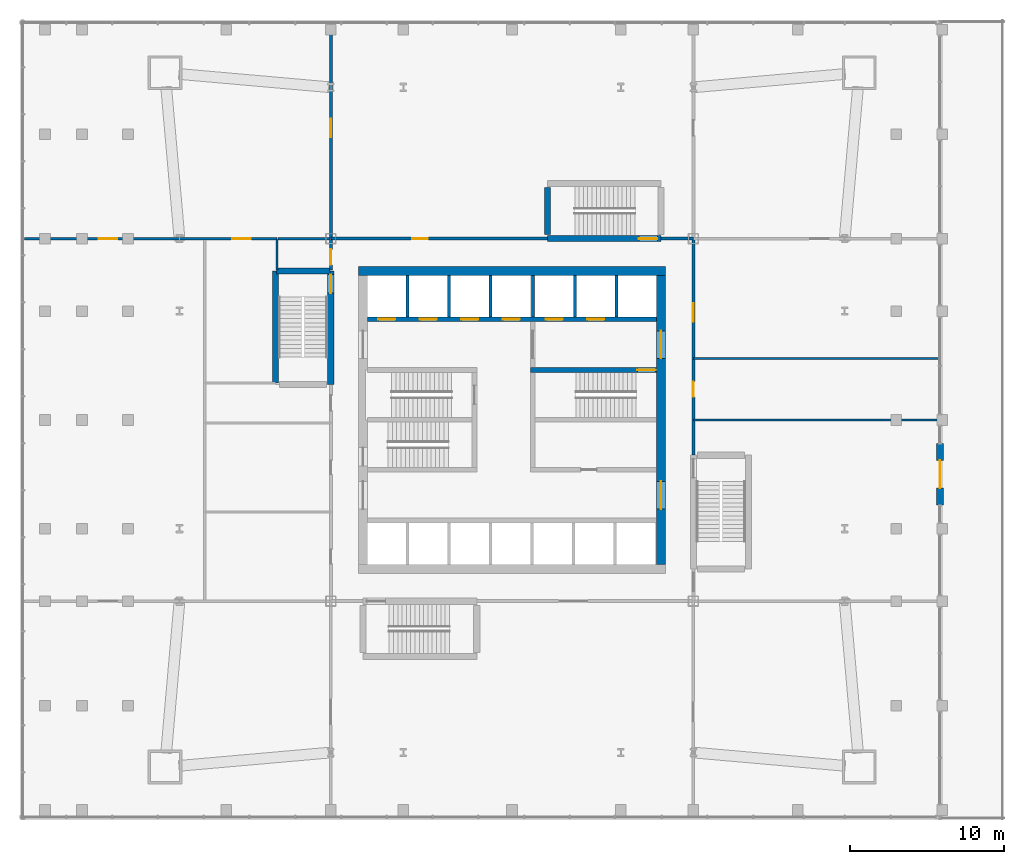
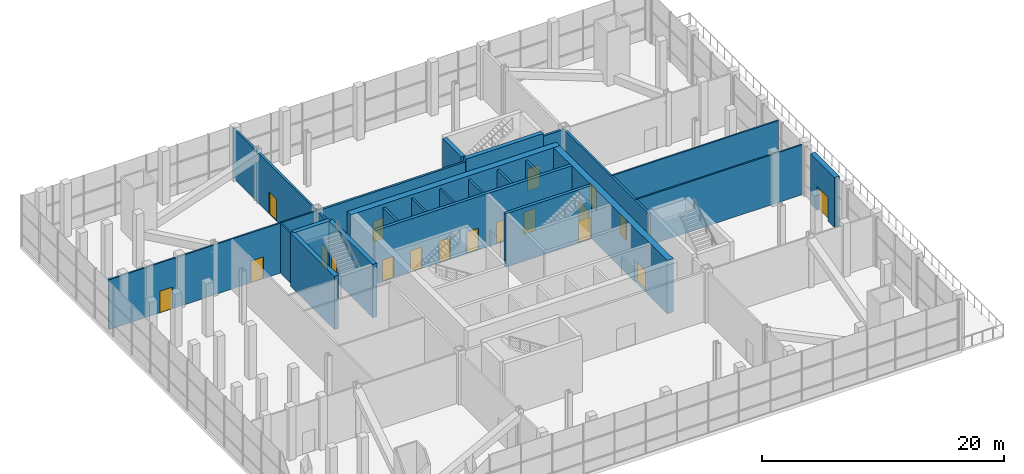
# One storey, part 15 of 17: 26 walls, 19 doors, 19 openings.
"""IFC4 building model written with IfcOpenShell, lengths in metres."""

from ifc_helpers import new_model, si_unit, direction, frame, frame_2d, origin, place, context, subcontext, project, spatial, rectangle, extrude, material, layer, layer_set, type_object, element, fill, save


model = new_model("IFC4")

# Units and contexts
model_context = context("Model", 3, precision=1e-05, world=origin(), true_north=direction((0.0, 1.0)))
body_context = subcontext(model_context, "Body", "Model", "MODEL_VIEW")
ifc_project = project(units=[si_unit("LENGTHUNIT", "METRE"), si_unit("AREAUNIT", "SQUARE_METRE"), si_unit("VOLUMEUNIT", "CUBIC_METRE"), si_unit("PLANEANGLEUNIT", "RADIAN"), si_unit("MASSUNIT", "GRAM", prefix="KILO")], contexts=[model_context])

# Site, building, storey
site_placement = place(None, origin())
site = spatial("IfcSite", under=ifc_project, at=site_placement, CompositionType="ELEMENT")
building_placement = place(site_placement, origin())
building = spatial("IfcBuilding", under=site, at=building_placement, Name="Turquesa Mirador Hotel Tower", CompositionType="ELEMENT")
storey_placement = place(building_placement, frame((0.0, 0.0, 5.60009765625)))
storey = spatial("IfcBuildingStorey", under=building, at=storey_placement, Name="L01", CompositionType="ELEMENT", Elevation=5.60009765625)

# Wall, openings, doors
ifc_material_1 = material(Name="Concrete C50/60", Category="concrete")
ifc_layer_1 = layer(ifc_material_1, 0.300048828125)
ifc_layer_set_1 = layer_set([ifc_layer_1], Name="CORE INNER WALL 300")
wall_type_1 = type_object("IfcWallType", Name="CORE INNER WALL 300", PredefinedType="SHEAR", material=ifc_layer_set_1)
wall_1_placement = place(storey_placement, frame((45.60009765625, 51.550048828125, 0.0), z_axis=(0.0, 0.0, 1.0), x_axis=(1.0, 0.0, 0.0)))
wall_1 = element("IfcWall", 1, at=wall_1_placement, inside=storey, type_object=wall_type_1, Name="Core wall NL", PredefinedType="SHEAR", context=body_context, shape_type="SweptSolid", body=[
    extrude(rectangle(XDim=18.7998046875, YDim=0.300048828125, at=frame_2d((9.39990234375, 0.0))), origin(), (0.0, 0.0, 1.0), 5.39990234375),
])
opening_1_placement = place(wall_1_placement, frame((0.699951171875, 0.0, 0.0)))
opening_1 = element("IfcOpeningElement", 2, at=opening_1_placement, cuts=wall_1, Name="Opening LD", PredefinedType="OPENING", context=body_context, shape_type="SweptSolid", body=[
    extrude(rectangle(XDim=1.10009765625, YDim=2.199951171875, at=frame_2d((0.550048828125, 1.10009765625))), frame((0.0, 0.159912109375, 0.0), z_axis=(0.0, -1.0, 0.0), x_axis=(1.0, 0.0, 0.0)), (0.0, 0.0, 1.0), 0.320068359375),
])
opening_2_placement = place(wall_1_placement, frame((3.39990234375, 0.0, 0.0)))
opening_2 = element("IfcOpeningElement", 3, at=opening_2_placement, cuts=wall_1, Name="Opening LD", PredefinedType="OPENING", context=body_context, shape_type="SweptSolid", body=[
    extrude(rectangle(XDim=1.10009765625, YDim=2.199951171875, at=frame_2d((0.550048828125, 1.10009765625))), frame((0.0, 0.159912109375, 0.0), z_axis=(0.0, -1.0, 0.0), x_axis=(1.0, 0.0, 0.0)), (0.0, 0.0, 1.0), 0.320068359375),
])
opening_3_placement = place(wall_1_placement, frame((6.10009765625, 0.0, 0.0)))
opening_3 = element("IfcOpeningElement", 4, at=opening_3_placement, cuts=wall_1, Name="Opening LD", PredefinedType="OPENING", context=body_context, shape_type="SweptSolid", body=[
    extrude(rectangle(XDim=1.10009765625, YDim=2.199951171875, at=frame_2d((0.550048828125, 1.10009765625))), frame((0.0, 0.159912109375, 0.0), z_axis=(0.0, -1.0, 0.0), x_axis=(1.0, 0.0, 0.0)), (0.0, 0.0, 1.0), 0.320068359375),
])
opening_4_placement = place(wall_1_placement, frame((8.800048828125, 0.0, 0.0)))
opening_4 = element("IfcOpeningElement", 5, at=opening_4_placement, cuts=wall_1, Name="Opening LD", PredefinedType="OPENING", context=body_context, shape_type="SweptSolid", body=[
    extrude(rectangle(XDim=1.10009765625, YDim=2.199951171875, at=frame_2d((0.550048828125, 1.10009765625))), frame((0.0, 0.159912109375, 0.0), z_axis=(0.0, -1.0, 0.0), x_axis=(1.0, 0.0, 0.0)), (0.0, 0.0, 1.0), 0.320068359375),
])
opening_5_placement = place(wall_1_placement, frame((11.60009765625, 0.0, 0.0)))
opening_5 = element("IfcOpeningElement", 6, at=opening_5_placement, cuts=wall_1, Name="Opening LD", PredefinedType="OPENING", context=body_context, shape_type="SweptSolid", body=[
    extrude(rectangle(XDim=1.10009765625, YDim=2.199951171875, at=frame_2d((0.550048828125, 1.10009765625))), frame((0.0, 0.159912109375, 0.0), z_axis=(0.0, -1.0, 0.0), x_axis=(1.0, 0.0, 0.0)), (0.0, 0.0, 1.0), 0.320068359375),
])
opening_6_placement = place(wall_1_placement, frame((14.300048828125, 0.0, 0.0)))
opening_6 = element("IfcOpeningElement", 7, at=opening_6_placement, cuts=wall_1, Name="Opening LD", PredefinedType="OPENING", context=body_context, shape_type="SweptSolid", body=[
    extrude(rectangle(XDim=1.10009765625, YDim=2.199951171875, at=frame_2d((0.550048828125, 1.10009765625))), frame((0.0, 0.159912109375, 0.0), z_axis=(0.0, -1.0, 0.0), x_axis=(1.0, 0.0, 0.0)), (0.0, 0.0, 1.0), 0.320068359375),
])
ifc_material_2 = material(Name="Stainless steel lift landing door", Category="steel")
door_type_1 = type_object("IfcDoorType", Name="LIFT LANDING DOOR 1100X2200", OperationType="SLIDING_TO_LEFT", PredefinedType="DOOR", material=ifc_material_2)
door_1_placement = place(opening_1_placement, origin())
door_1 = element("IfcDoor", 8, at=door_1_placement, inside=storey, type_object=door_type_1, Name="Lift A1 landing door", OperationType="SLIDING_TO_LEFT", OverallHeight=2.199951171875, OverallWidth=1.10009765625, PredefinedType="DOOR", context=body_context, shape_type="SweptSolid", body=[
    extrude(rectangle(XDim=1.10009765625, YDim=2.199951171875, at=frame_2d((0.550048828125, 1.10009765625))), frame((0.0, 0.02490234375, 0.0), z_axis=(0.0, -1.0, 0.0), x_axis=(1.0, 0.0, 0.0)), (0.0, 0.0, 1.0), 0.050048828125),
])
fill(opening_1, door_1)
door_2_placement = place(opening_2_placement, origin())
door_2 = element("IfcDoor", 9, at=door_2_placement, inside=storey, type_object=door_type_1, Name="Lift A2 landing door", OperationType="SLIDING_TO_LEFT", OverallHeight=2.199951171875, OverallWidth=1.10009765625, PredefinedType="DOOR", context=body_context, shape_type="SweptSolid", body=[
    extrude(rectangle(XDim=1.10009765625, YDim=2.199951171875, at=frame_2d((0.550048828125, 1.10009765625))), frame((0.0, 0.02490234375, 0.0), z_axis=(0.0, -1.0, 0.0), x_axis=(1.0, 0.0, 0.0)), (0.0, 0.0, 1.0), 0.050048828125),
])
fill(opening_2, door_2)
door_3_placement = place(opening_3_placement, origin())
door_3 = element("IfcDoor", 10, at=door_3_placement, inside=storey, type_object=door_type_1, Name="Lift A3 landing door", OperationType="SLIDING_TO_LEFT", OverallHeight=2.199951171875, OverallWidth=1.10009765625, PredefinedType="DOOR", context=body_context, shape_type="SweptSolid", body=[
    extrude(rectangle(XDim=1.10009765625, YDim=2.199951171875, at=frame_2d((0.550048828125, 1.10009765625))), frame((0.0, 0.02490234375, 0.0), z_axis=(0.0, -1.0, 0.0), x_axis=(1.0, 0.0, 0.0)), (0.0, 0.0, 1.0), 0.050048828125),
])
fill(opening_3, door_3)
door_4_placement = place(opening_4_placement, origin())
door_4 = element("IfcDoor", 11, at=door_4_placement, inside=storey, type_object=door_type_1, Name="Lift A4 landing door", OperationType="SLIDING_TO_LEFT", OverallHeight=2.199951171875, OverallWidth=1.10009765625, PredefinedType="DOOR", context=body_context, shape_type="SweptSolid", body=[
    extrude(rectangle(XDim=1.10009765625, YDim=2.199951171875, at=frame_2d((0.550048828125, 1.10009765625))), frame((0.0, 0.02490234375, 0.0), z_axis=(0.0, -1.0, 0.0), x_axis=(1.0, 0.0, 0.0)), (0.0, 0.0, 1.0), 0.050048828125),
])
fill(opening_4, door_4)
door_5_placement = place(opening_5_placement, origin())
door_5 = element("IfcDoor", 12, at=door_5_placement, inside=storey, type_object=door_type_1, Name="Lift S1 landing door", OperationType="SLIDING_TO_LEFT", OverallHeight=2.199951171875, OverallWidth=1.10009765625, PredefinedType="DOOR", context=body_context, shape_type="SweptSolid", body=[
    extrude(rectangle(XDim=1.10009765625, YDim=2.199951171875, at=frame_2d((0.550048828125, 1.10009765625))), frame((0.0, 0.02490234375, 0.0), z_axis=(0.0, -1.0, 0.0), x_axis=(1.0, 0.0, 0.0)), (0.0, 0.0, 1.0), 0.050048828125),
])
fill(opening_5, door_5)
door_6_placement = place(opening_6_placement, origin())
door_6 = element("IfcDoor", 13, at=door_6_placement, inside=storey, type_object=door_type_1, Name="Lift S2 landing door", OperationType="SLIDING_TO_LEFT", OverallHeight=2.199951171875, OverallWidth=1.10009765625, PredefinedType="DOOR", context=body_context, shape_type="SweptSolid", body=[
    extrude(rectangle(XDim=1.10009765625, YDim=2.199951171875, at=frame_2d((0.550048828125, 1.10009765625))), frame((0.0, 0.02490234375, 0.0), z_axis=(0.0, -1.0, 0.0), x_axis=(1.0, 0.0, 0.0)), (0.0, 0.0, 1.0), 0.050048828125),
])
fill(opening_6, door_6)

# Wall, opening, door
wall_2_placement = place(storey_placement, frame((56.199951171875, 48.25, 0.0), z_axis=(0.0, 0.0, 1.0), x_axis=(1.0, 0.0, 0.0)))
wall_2 = element("IfcWall", 14, at=wall_2_placement, inside=storey, type_object=wall_type_1, Name="Core wall MN-E", PredefinedType="SHEAR", context=body_context, shape_type="SweptSolid", body=[
    extrude(rectangle(XDim=8.199951171875, YDim=0.300048828125, at=frame_2d((4.10009765625, 0.0))), origin(), (0.0, 0.0, 1.0), 5.39990234375),
])
opening_7_placement = place(wall_2_placement, frame((6.949951171875, 0.0, 0.0)))
opening_7 = element("IfcOpeningElement", 15, at=opening_7_placement, cuts=wall_2, Name="Opening D03", PredefinedType="OPENING", context=body_context, shape_type="SweptSolid", body=[
    extrude(rectangle(XDim=1.199951171875, YDim=2.199951171875, at=frame_2d((0.60009765625, 1.10009765625))), frame((0.0, 0.159912109375, 0.0), z_axis=(0.0, -1.0, 0.0), x_axis=(1.0, 0.0, 0.0)), (0.0, 0.0, 1.0), 0.320068359375),
])
ifc_material_3 = material(Name="Steel fire door", Category="steel")
door_type_2 = type_object("IfcDoorType", Name="DOOR 1200X2200 STAIR", OperationType="SINGLE_SWING_LEFT", PredefinedType="DOOR", material=ifc_material_3)
door_7_placement = place(opening_7_placement, origin())
door_7 = element("IfcDoor", 16, at=door_7_placement, inside=storey, type_object=door_type_2, Name="Stair ST3 door", OperationType="SINGLE_SWING_LEFT", OverallHeight=2.199951171875, OverallWidth=1.199951171875, PredefinedType="DOOR", context=body_context, shape_type="SweptSolid", body=[
    extrude(rectangle(XDim=1.199951171875, YDim=2.199951171875, at=frame_2d((0.60009765625, 1.10009765625))), frame((0.0, 0.02490234375, 0.0), z_axis=(0.0, -1.0, 0.0), x_axis=(1.0, 0.0, 0.0)), (0.0, 0.0, 1.0), 0.050048828125),
])
fill(opening_7, door_7)

# Wall
ifc_material_4 = material(Name="Concrete C50/60", Category="concrete")
ifc_layer_2 = layer(ifc_material_4, 0.60009765625)
ifc_layer_set_2 = layer_set([ifc_layer_2], Name="CORE WALL 600")
wall_type_2 = type_object("IfcWallType", Name="CORE WALL 600", PredefinedType="SHEAR", material=ifc_layer_set_2)
wall_3_placement = place(storey_placement, frame((45.0, 54.699951171875, 0.0), z_axis=(0.0, 0.0, 1.0), x_axis=(1.0, 0.0, 0.0)))
element("IfcWall", 17, at=wall_3_placement, inside=storey, type_object=wall_type_2, Name="Core wall N", PredefinedType="SHEAR", context=body_context, shape_type="SweptSolid", body=[
    extrude(rectangle(XDim=20.0, YDim=0.60009765625, at=frame_2d((10.0, 0.0))), origin(), (0.0, 0.0, 1.0), 5.39990234375),
])

# Wall, openings, doors
wall_4_placement = place(storey_placement, frame((64.699951171875, 35.60009765625, 0.0), z_axis=(0.0, 0.0, 1.0), x_axis=(0.0, 1.0, 0.0)))
wall_4 = element("IfcWall", 18, at=wall_4_placement, inside=storey, type_object=wall_type_2, Name="Core wall E", PredefinedType="SHEAR", context=body_context, shape_type="SweptSolid", body=[
    extrude(rectangle(XDim=18.7998046875, YDim=0.60009765625, at=frame_2d((9.39990234375, 0.0))), origin(), (0.0, 0.0, 1.0), 5.39990234375),
])
opening_8_placement = place(wall_4_placement, frame((13.39990234375, 0.0, 0.0)))
opening_8 = element("IfcOpeningElement", 19, at=opening_8_placement, cuts=wall_4, Name="Opening D04", PredefinedType="OPENING", context=body_context, shape_type="SweptSolid", body=[
    extrude(rectangle(XDim=1.800048828125, YDim=2.199951171875, at=frame_2d((0.89990234375, 1.10009765625))), frame((0.0, 0.31005859375, 0.0), z_axis=(0.0, -1.0, 0.0), x_axis=(1.0, 0.0, 0.0)), (0.0, 0.0, 1.0), 0.6201171875),
])
opening_9_placement = place(wall_4_placement, frame((3.60009765625, 0.0, 0.0)))
opening_9 = element("IfcOpeningElement", 20, at=opening_9_placement, cuts=wall_4, Name="Opening D04", PredefinedType="OPENING", context=body_context, shape_type="SweptSolid", body=[
    extrude(rectangle(XDim=1.800048828125, YDim=2.199951171875, at=frame_2d((0.89990234375, 1.10009765625))), frame((0.0, 0.31005859375, 0.0), z_axis=(0.0, -1.0, 0.0), x_axis=(1.0, 0.0, 0.0)), (0.0, 0.0, 1.0), 0.6201171875),
])
ifc_material_5 = material(Name="Steel fire door pair", Category="steel")
door_type_3 = type_object("IfcDoorType", Name="DOOR 1800X2200 PAIR", OperationType="DOUBLE_DOOR_SINGLE_SWING", PredefinedType="DOOR", material=ifc_material_5)
door_8_placement = place(opening_8_placement, origin())
door_8 = element("IfcDoor", 21, at=door_8_placement, inside=storey, type_object=door_type_3, Name="Firefighting lobby door", OperationType="DOUBLE_DOOR_SINGLE_SWING", OverallHeight=2.199951171875, OverallWidth=1.800048828125, PredefinedType="DOOR", context=body_context, shape_type="SweptSolid", body=[
    extrude(rectangle(XDim=1.800048828125, YDim=2.199951171875, at=frame_2d((0.89990234375, 1.10009765625))), frame((0.0, 0.02490234375, 0.0), z_axis=(0.0, -1.0, 0.0), x_axis=(1.0, 0.0, 0.0)), (0.0, 0.0, 1.0), 0.050048828125),
])
fill(opening_8, door_8)
door_9_placement = place(opening_9_placement, origin())
door_9 = element("IfcDoor", 22, at=door_9_placement, inside=storey, type_object=door_type_3, Name="South lift lobby door", OperationType="DOUBLE_DOOR_SINGLE_SWING", OverallHeight=2.199951171875, OverallWidth=1.800048828125, PredefinedType="DOOR", context=body_context, shape_type="SweptSolid", body=[
    extrude(rectangle(XDim=1.800048828125, YDim=2.199951171875, at=frame_2d((0.89990234375, 1.10009765625))), frame((0.0, 0.02490234375, 0.0), z_axis=(0.0, -1.0, 0.0), x_axis=(1.0, 0.0, 0.0)), (0.0, 0.0, 1.0), 0.050048828125),
])
fill(opening_9, door_9)

# Wall, opening, door
ifc_material_6 = material(Name="Fire-rated gypsum board on steel studs", Category="steel")
ifc_layer_3 = layer(ifc_material_6, 0.199951171875)
ifc_layer_set_3 = layer_set([ifc_layer_3], Name="CORRIDOR WALL 200")
wall_type_3 = type_object("IfcWallType", Name="CORRIDOR WALL 200", PredefinedType="PARTITIONING", material=ifc_layer_set_3)
wall_5_placement = place(storey_placement, frame((43.199951171875, 56.800048828125, 0.0), z_axis=(0.0, 0.0, 1.0), x_axis=(1.0, 0.0, 0.0)))
wall_5 = element("IfcWall", 23, at=wall_5_placement, inside=storey, type_object=wall_type_3, Name="Partition L01 012", PredefinedType="PARTITIONING", context=body_context, shape_type="SweptSolid", body=[
    extrude(rectangle(XDim=14.10009765625, YDim=0.199951171875, at=frame_2d((7.050048828125, 0.0))), origin(), (0.0, 0.0, 1.0), 5.0498046875),
])
opening_10_placement = place(wall_5_placement, frame((5.300048828125, 0.0, 0.0)))
opening_10 = element("IfcOpeningElement", 24, at=opening_10_placement, cuts=wall_5, Name="Opening D05", PredefinedType="OPENING", context=body_context, shape_type="SweptSolid", body=[
    extrude(rectangle(XDim=1.0, YDim=2.10009765625, at=frame_2d((0.5, 1.050048828125))), frame((0.0, 0.10986328125, 0.0), z_axis=(0.0, -1.0, 0.0), x_axis=(1.0, 0.0, 0.0)), (0.0, 0.0, 1.0), 0.219970703125),
])
ifc_material_7 = material(Name="Steel fire door", Category="steel")
door_type_4 = type_object("IfcDoorType", Name="DOOR 1000X2100 SERVICE", OperationType="SINGLE_SWING_LEFT", PredefinedType="DOOR", material=ifc_material_7)
door_10_placement = place(opening_10_placement, origin())
door_10 = element("IfcDoor", 25, at=door_10_placement, inside=storey, type_object=door_type_4, Name="Door L01-10", OperationType="SINGLE_SWING_LEFT", OverallHeight=2.10009765625, OverallWidth=1.0, PredefinedType="DOOR", context=body_context, shape_type="SweptSolid", body=[
    extrude(rectangle(XDim=1.0, YDim=2.10009765625, at=frame_2d((0.5, 1.050048828125))), frame((0.0, 0.02490234375, 0.0), z_axis=(0.0, -1.0, 0.0), x_axis=(1.0, 0.0, 0.0)), (0.0, 0.0, 1.0), 0.050048828125),
])
fill(opening_10, door_10)

# Wall
wall_6_placement = place(storey_placement, frame((64.699951171875, 56.800048828125, 0.0), z_axis=(0.0, 0.0, 1.0), x_axis=(1.0, 0.0, 0.0)))
element("IfcWall", 26, at=wall_6_placement, inside=storey, type_object=wall_type_3, Name="Partition L01 013", PredefinedType="PARTITIONING", context=body_context, shape_type="SweptSolid", body=[
    extrude(rectangle(XDim=2.10009765625, YDim=0.199951171875, at=frame_2d((1.050048828125, 0.0))), origin(), (0.0, 0.0, 1.0), 5.0498046875),
])

# Wall, openings, doors
wall_7_placement = place(storey_placement, frame((66.800048828125, 42.699951171875, 0.0), z_axis=(0.0, 0.0, 1.0), x_axis=(0.0, 1.0, 0.0)))
wall_7 = element("IfcWall", 27, at=wall_7_placement, inside=storey, type_object=wall_type_3, Name="Partition L01 030", PredefinedType="PARTITIONING", context=body_context, shape_type="SweptSolid", body=[
    extrude(rectangle(XDim=14.10009765625, YDim=0.199951171875, at=frame_2d((7.050048828125, 0.0))), origin(), (0.0, 0.0, 1.0), 5.0498046875),
])
opening_11_placement = place(wall_7_placement, frame((3.800048828125, 0.0, 0.0)))
opening_11 = element("IfcOpeningElement", 28, at=opening_11_placement, cuts=wall_7, Name="Opening D05", PredefinedType="OPENING", context=body_context, shape_type="SweptSolid", body=[
    extrude(rectangle(XDim=1.0, YDim=2.10009765625, at=frame_2d((0.5, 1.050048828125))), frame((0.0, 0.10986328125, 0.0), z_axis=(0.0, -1.0, 0.0), x_axis=(1.0, 0.0, 0.0)), (0.0, 0.0, 1.0), 0.219970703125),
])
opening_12_placement = place(wall_7_placement, frame((8.699951171875, 0.0, 0.0)))
opening_12 = element("IfcOpeningElement", 29, at=opening_12_placement, cuts=wall_7, Name="Opening D09", PredefinedType="OPENING", context=body_context, shape_type="SweptSolid", body=[
    extrude(rectangle(XDim=1.199951171875, YDim=2.199951171875, at=frame_2d((0.60009765625, 1.10009765625))), frame((0.0, 0.10986328125, 0.0), z_axis=(0.0, -1.0, 0.0), x_axis=(1.0, 0.0, 0.0)), (0.0, 0.0, 1.0), 0.219970703125),
])
door_11_placement = place(opening_11_placement, origin())
door_11 = element("IfcDoor", 30, at=door_11_placement, inside=storey, type_object=door_type_4, Name="Door L01-13", OperationType="SINGLE_SWING_LEFT", OverallHeight=2.10009765625, OverallWidth=1.0, PredefinedType="DOOR", context=body_context, shape_type="SweptSolid", body=[
    extrude(rectangle(XDim=1.0, YDim=2.10009765625, at=frame_2d((0.5, 1.050048828125))), frame((0.0, 0.02490234375, 0.0), z_axis=(0.0, -1.0, 0.0), x_axis=(1.0, 0.0, 0.0)), (0.0, 0.0, 1.0), 0.050048828125),
])
fill(opening_11, door_11)
ifc_material_8 = material(Name="Timber door", Category="wood")
door_type_5 = type_object("IfcDoorType", Name="DOOR 1200X2200 OFFICE", OperationType="SINGLE_SWING_LEFT", PredefinedType="DOOR", material=ifc_material_8)
door_12_placement = place(opening_12_placement, origin())
door_12 = element("IfcDoor", 31, at=door_12_placement, inside=storey, type_object=door_type_5, Name="Door L01-14", OperationType="SINGLE_SWING_LEFT", OverallHeight=2.199951171875, OverallWidth=1.199951171875, PredefinedType="DOOR", context=body_context, shape_type="SweptSolid", body=[
    extrude(rectangle(XDim=1.199951171875, YDim=2.199951171875, at=frame_2d((0.60009765625, 1.10009765625))), frame((0.0, 0.02490234375, 0.0), z_axis=(0.0, -1.0, 0.0), x_axis=(1.0, 0.0, 0.0)), (0.0, 0.0, 1.0), 0.050048828125),
])
fill(opening_12, door_12)

# Wall, opening, door
wall_8_placement = place(storey_placement, frame((43.199951171875, 56.739990234375, 0.0), z_axis=(0.0, 0.0, 1.0), x_axis=(0.0, -1.0, 0.0)))
wall_8 = element("IfcWall", 32, at=wall_8_placement, inside=storey, type_object=wall_type_3, Name="Partition L01 038", PredefinedType="PARTITIONING", context=body_context, shape_type="SweptSolid", body=[
    extrude(rectangle(XDim=1.97998046875, YDim=0.199951171875, at=frame_2d((0.989990234375, 0.0))), origin(), (0.0, 0.0, 1.0), 5.0498046875),
])
opening_13_placement = place(wall_8_placement, frame((0.639892578125, 0.0, 0.0)))
opening_13 = element("IfcOpeningElement", 33, at=opening_13_placement, cuts=wall_8, Name="Opening D05", PredefinedType="OPENING", context=body_context, shape_type="SweptSolid", body=[
    extrude(rectangle(XDim=1.0, YDim=2.10009765625, at=frame_2d((0.5, 1.050048828125))), frame((0.0, 0.10986328125, 0.0), z_axis=(0.0, -1.0, 0.0), x_axis=(1.0, 0.0, 0.0)), (0.0, 0.0, 1.0), 0.219970703125),
])
door_13_placement = place(opening_13_placement, origin())
door_13 = element("IfcDoor", 34, at=door_13_placement, inside=storey, type_object=door_type_4, Name="Door L01-15", OperationType="SINGLE_SWING_LEFT", OverallHeight=2.10009765625, OverallWidth=1.0, PredefinedType="DOOR", context=body_context, shape_type="SweptSolid", body=[
    extrude(rectangle(XDim=1.0, YDim=2.10009765625, at=frame_2d((0.5, 1.050048828125))), frame((0.0, 0.02490234375, 0.0), z_axis=(0.0, -1.0, 0.0), x_axis=(1.0, 0.0, 0.0)), (0.0, 0.0, 1.0), 0.050048828125),
])
fill(opening_13, door_13)

ifc_material_9 = material(Name="Fire-rated gypsum board on steel studs", Category="steel")
ifc_layer_4 = layer(ifc_material_9, 0.199951171875)
ifc_layer_set_4 = layer_set([ifc_layer_4], Name="FIRE PARTITION 200")
wall_type_4 = type_object("IfcWallType", Name="FIRE PARTITION 200", PredefinedType="PARTITIONING", material=ifc_layer_set_4)
wall_9_placement = place(storey_placement, frame((43.199951171875, 56.800048828125, 0.0), z_axis=(0.0, 0.0, 1.0), x_axis=(0.0, 1.0, 0.0)))
wall_9 = element("IfcWall", 35, at=wall_9_placement, inside=storey, type_object=wall_type_4, Name="Partition L01 022", PredefinedType="PARTITIONING", context=body_context, shape_type="SweptSolid", body=[
    extrude(rectangle(XDim=13.89990234375, YDim=0.199951171875, at=frame_2d((6.949951171875, 0.0))), origin(), (0.0, 0.0, 1.0), 5.0498046875),
])
opening_14_placement = place(wall_9_placement, frame((6.60009765625, 0.0, 0.0)))
opening_14 = element("IfcOpeningElement", 36, at=opening_14_placement, cuts=wall_9, Name="Opening D09", PredefinedType="OPENING", context=body_context, shape_type="SweptSolid", body=[
    extrude(rectangle(XDim=1.199951171875, YDim=2.199951171875, at=frame_2d((0.60009765625, 1.10009765625))), frame((0.0, 0.10986328125, 0.0), z_axis=(0.0, -1.0, 0.0), x_axis=(1.0, 0.0, 0.0)), (0.0, 0.0, 1.0), 0.219970703125),
])
door_14_placement = place(opening_14_placement, origin())
door_14 = element("IfcDoor", 37, at=door_14_placement, inside=storey, type_object=door_type_5, Name="Door L01-09", OperationType="SINGLE_SWING_LEFT", OverallHeight=2.199951171875, OverallWidth=1.199951171875, PredefinedType="DOOR", context=body_context, shape_type="SweptSolid", body=[
    extrude(rectangle(XDim=1.199951171875, YDim=2.199951171875, at=frame_2d((0.60009765625, 1.10009765625))), frame((0.0, 0.02490234375, 0.0), z_axis=(0.0, -1.0, 0.0), x_axis=(1.0, 0.0, 0.0)), (0.0, 0.0, 1.0), 0.050048828125),
])
fill(opening_14, door_14)

# Walls
ifc_material_10 = material(Name="Fire-rated gypsum shaft wall on steel studs", Category="steel")
ifc_layer_5 = layer(ifc_material_10, 0.199951171875)
ifc_layer_set_5 = layer_set([ifc_layer_5], Name="LIFT SHAFT DIVIDER 200")
wall_type_5 = type_object("IfcWallType", Name="LIFT SHAFT DIVIDER 200", PredefinedType="PARTITIONING", material=ifc_layer_set_5)
for number, where, z_axis, x_axis, name in (
    (38, (48.199951171875, 51.699951171875, 0.0), (0.0, 0.0, 1.0), (0.0, 1.0, 0.0), "Lift shaft divider"),
    (39, (50.89990234375, 51.699951171875, 0.0), (0.0, 0.0, 1.0), (0.0, 1.0, 0.0), "Lift shaft divider"),
    (40, (53.60009765625, 51.699951171875, 0.0), (0.0, 0.0, 1.0), (0.0, 1.0, 0.0), "Lift shaft divider"),
    (41, (59.10009765625, 51.699951171875, 0.0), (0.0, 0.0, 1.0), (0.0, 1.0, 0.0), "Lift shaft divider"),
    (42, (61.800048828125, 51.699951171875, 0.0), (0.0, 0.0, 1.0), (0.0, 1.0, 0.0), "Lift shaft divider"),
    (43, (56.35009765625, 51.699951171875, 0.0), (0.0, 0.0, 1.0), (0.0, 1.0, 0.0), "Lift shaft divider"),
):
    element("IfcWall", number, at=place(storey_placement, frame(where, z_axis=z_axis, x_axis=x_axis)), inside=storey, type_object=wall_type_5, Name=name, PredefinedType="PARTITIONING", context=body_context, shape_type="SweptSolid", body=[
        extrude(rectangle(XDim=2.699951171875, YDim=0.199951171875, at=frame_2d((1.35009765625, 0.0))), origin(), (0.0, 0.0, 1.0), 5.0498046875),
    ])
ifc_material_11 = material(Name="Gypsum board on steel studs", Category="steel")
ifc_layer_6 = layer(ifc_material_11, 0.14990234375)
ifc_layer_set_6 = layer_set([ifc_layer_6], Name="PARTITION 150")
wall_type_6 = type_object("IfcWallType", Name="PARTITION 150", PredefinedType="PARTITIONING", material=ifc_layer_set_6)
wall_10_placement = place(storey_placement, frame((66.800048828125, 45.0, 0.0), z_axis=(0.0, 0.0, 1.0), x_axis=(1.0, 0.0, 0.0)))
element("IfcWall", 44, at=wall_10_placement, inside=storey, type_object=wall_type_6, Name="Partition L01 011", PredefinedType="PARTITIONING", context=body_context, shape_type="SweptSolid", body=[
    extrude(rectangle(XDim=15.89990234375, YDim=0.14990234375, at=frame_2d((7.949951171875, 0.0))), origin(), (0.0, 0.0, 1.0), 5.0498046875),
])

# Wall, openings, doors
wall_11_placement = place(storey_placement, frame((23.2548828125, 56.800048828125, 0.0), z_axis=(0.0, 0.0, 1.0), x_axis=(1.0, 0.0, 0.0)))
wall_11 = element("IfcWall", 45, at=wall_11_placement, inside=storey, type_object=wall_type_6, Name="Partition L01 014", PredefinedType="PARTITIONING", context=body_context, shape_type="SweptSolid", body=[
    extrude(rectangle(XDim=16.445068359375, YDim=0.14990234375, at=frame_2d((8.22265625, 0.0))), origin(), (0.0, 0.0, 1.0), 5.0498046875),
])
opening_15_placement = place(wall_11_placement, frame((13.544921875, 0.0, 0.0)))
opening_15 = element("IfcOpeningElement", 46, at=opening_15_placement, cuts=wall_11, Name="Opening D09", PredefinedType="OPENING", context=body_context, shape_type="SweptSolid", body=[
    extrude(rectangle(XDim=1.199951171875, YDim=2.199951171875, at=frame_2d((0.60009765625, 1.10009765625))), frame((0.0, 0.0849609375, 0.0), z_axis=(0.0, -1.0, 0.0), x_axis=(1.0, 0.0, 0.0)), (0.0, 0.0, 1.0), 0.169921875),
])
opening_16_placement = place(wall_11_placement, frame((4.844970703125, 0.0, 0.0)))
opening_16 = element("IfcOpeningElement", 47, at=opening_16_placement, cuts=wall_11, Name="Opening D09", PredefinedType="OPENING", context=body_context, shape_type="SweptSolid", body=[
    extrude(rectangle(XDim=1.199951171875, YDim=2.199951171875, at=frame_2d((0.60009765625, 1.10009765625))), frame((0.0, 0.0849609375, 0.0), z_axis=(0.0, -1.0, 0.0), x_axis=(1.0, 0.0, 0.0)), (0.0, 0.0, 1.0), 0.169921875),
])
door_15_placement = place(opening_15_placement, origin())
door_15 = element("IfcDoor", 48, at=door_15_placement, inside=storey, type_object=door_type_5, Name="Door L01-07", OperationType="SINGLE_SWING_LEFT", OverallHeight=2.199951171875, OverallWidth=1.199951171875, PredefinedType="DOOR", context=body_context, shape_type="SweptSolid", body=[
    extrude(rectangle(XDim=1.199951171875, YDim=2.199951171875, at=frame_2d((0.60009765625, 1.10009765625))), frame((0.0, 0.02490234375, 0.0), z_axis=(0.0, -1.0, 0.0), x_axis=(1.0, 0.0, 0.0)), (0.0, 0.0, 1.0), 0.050048828125),
])
fill(opening_15, door_15)
door_16_placement = place(opening_16_placement, origin())
door_16 = element("IfcDoor", 49, at=door_16_placement, inside=storey, type_object=door_type_5, Name="Door L01-09-1", OperationType="SINGLE_SWING_LEFT", OverallHeight=2.199951171875, OverallWidth=1.199951171875, PredefinedType="DOOR", context=body_context, shape_type="SweptSolid", body=[
    extrude(rectangle(XDim=1.199951171875, YDim=2.199951171875, at=frame_2d((0.60009765625, 1.10009765625))), frame((0.0, 0.02490234375, 0.0), z_axis=(0.0, -1.0, 0.0), x_axis=(1.0, 0.0, 0.0)), (0.0, 0.0, 1.0), 0.050048828125),
])
fill(opening_16, door_16)

# Walls
wall_12_placement = place(storey_placement, frame((66.800048828125, 49.0, 0.0), z_axis=(0.0, 0.0, 1.0), x_axis=(1.0, 0.0, 0.0)))
element("IfcWall", 50, at=wall_12_placement, inside=storey, type_object=wall_type_6, Name="Partition L01 020", PredefinedType="PARTITIONING", context=body_context, shape_type="SweptSolid", body=[
    extrude(rectangle(XDim=15.945068359375, YDim=0.14990234375, at=frame_2d((7.97265625, 0.0))), origin(), (0.0, 0.0, 1.0), 5.0498046875),
])
wall_13_placement = place(storey_placement, frame((39.699951171875, 54.760009765625, 0.0), z_axis=(0.0, 0.0, 1.0), x_axis=(0.0, 1.0, 0.0)))
element("IfcWall", 51, at=wall_13_placement, inside=storey, type_object=wall_type_6, Name="Partition L01 039", PredefinedType="PARTITIONING", context=body_context, shape_type="SweptSolid", body=[
    extrude(rectangle(XDim=1.97998046875, YDim=0.14990234375, at=frame_2d((0.989990234375, 0.0))), origin(), (0.0, 0.0, 1.0), 5.0498046875),
])
wall_14_placement = place(storey_placement, frame((39.760009765625, 56.800048828125, 0.0), z_axis=(0.0, 0.0, 1.0), x_axis=(1.0, 0.0, 0.0)))
element("IfcWall", 52, at=wall_14_placement, inside=storey, type_object=wall_type_6, Name="Partition L01 040", PredefinedType="PARTITIONING", context=body_context, shape_type="SweptSolid", body=[
    extrude(rectangle(XDim=3.3798828125, YDim=0.14990234375, at=frame_2d((1.68994140625, 0.0))), origin(), (0.0, 0.0, 1.0), 5.0498046875),
])

# Wall, opening, door
ifc_material_12 = material(Name="Limestone cladding on concrete block", Category="masonry")
ifc_layer_7 = layer(ifc_material_12, 0.449951171875)
ifc_layer_set_7 = layer_set([ifc_layer_7], Name="PORTAL WALL 450 STONE")
wall_type_7 = type_object("IfcWallType", Name="PORTAL WALL 450 STONE", PredefinedType="SOLIDWALL", material=ifc_layer_set_7)
wall_15_placement = place(storey_placement, frame((82.85009765625, 39.4599609375, 0.0), z_axis=(0.0, 0.0, 1.0), x_axis=(0.0, 1.0, 0.0)))
wall_15 = element("IfcWall", 53, at=wall_15_placement, inside=storey, type_object=wall_type_7, Name="Entrance portal L01", PredefinedType="SOLIDWALL", context=body_context, shape_type="SweptSolid", body=[
    extrude(rectangle(XDim=4.0, YDim=0.449951171875, at=frame_2d((2.0, 0.0))), origin(), (0.0, 0.0, 1.0), 5.0498046875),
])
opening_17_placement = place(wall_15_placement, frame((1.10009765625, 0.0, 0.0)))
opening_17 = element("IfcOpeningElement", 54, at=opening_17_placement, cuts=wall_15, Name="Opening D10", PredefinedType="OPENING", context=body_context, shape_type="SweptSolid", body=[
    extrude(rectangle(XDim=1.800048828125, YDim=2.39990234375, at=frame_2d((0.89990234375, 1.199951171875))), frame((0.0, 0.23486328125, 0.0), z_axis=(0.0, -1.0, 0.0), x_axis=(1.0, 0.0, 0.0)), (0.0, 0.0, 1.0), 0.469970703125),
])
ifc_material_13 = material(Name="Aluminium glazed sliding door", Category="aluminium")
door_type_6 = type_object("IfcDoorType", Name="TERRACE DOOR 1800X2400 GLAZED", OperationType="SLIDING_TO_LEFT", PredefinedType="DOOR", material=ifc_material_13)
door_17_placement = place(opening_17_placement, origin())
door_17 = element("IfcDoor", 55, at=door_17_placement, inside=storey, type_object=door_type_6, Name="External door L01 E", OperationType="SLIDING_TO_LEFT", OverallHeight=2.39990234375, OverallWidth=1.800048828125, PredefinedType="DOOR", context=body_context, shape_type="SweptSolid", body=[
    extrude(rectangle(XDim=1.800048828125, YDim=2.39990234375, at=frame_2d((0.89990234375, 1.199951171875))), frame((0.0, 0.02490234375, 0.0), z_axis=(0.0, -1.0, 0.0), x_axis=(1.0, 0.0, 0.0)), (0.0, 0.0, 1.0), 0.050048828125),
])
fill(opening_17, door_17)

ifc_material_14 = material(Name="Concrete C50/60", Category="concrete")
ifc_layer_8 = layer(ifc_material_14, 0.39990234375)
ifc_layer_set_8 = layer_set([ifc_layer_8], Name="STAIR WALL 400")
wall_type_8 = type_object("IfcWallType", Name="STAIR WALL 400", PredefinedType="SHEAR", material=ifc_layer_set_8)
wall_16_placement = place(storey_placement, frame((57.300048828125, 56.800048828125, 0.0), z_axis=(0.0, 0.0, 1.0), x_axis=(1.0, 0.0, 0.0)))
wall_16 = element("IfcWall", 56, at=wall_16_placement, inside=storey, type_object=wall_type_8, Name="Stair wall L01 016", PredefinedType="SHEAR", context=body_context, shape_type="SweptSolid", body=[
    extrude(rectangle(XDim=7.39990234375, YDim=0.39990234375, at=frame_2d((3.699951171875, 0.0))), origin(), (0.0, 0.0, 1.0), 5.39990234375),
])
opening_18_placement = place(wall_16_placement, frame((5.949951171875, 0.0, 0.0)))
opening_18 = element("IfcOpeningElement", 57, at=opening_18_placement, cuts=wall_16, Name="Opening D03", PredefinedType="OPENING", context=body_context, shape_type="SweptSolid", body=[
    extrude(rectangle(XDim=1.199951171875, YDim=2.199951171875, at=frame_2d((0.60009765625, 1.10009765625))), frame((0.0, 0.2099609375, 0.0), z_axis=(0.0, -1.0, 0.0), x_axis=(1.0, 0.0, 0.0)), (0.0, 0.0, 1.0), 0.419921875),
])
door_18_placement = place(opening_18_placement, origin())
door_18 = element("IfcDoor", 58, at=door_18_placement, inside=storey, type_object=door_type_2, Name="Door L01-PS1", OperationType="SINGLE_SWING_LEFT", OverallHeight=2.199951171875, OverallWidth=1.199951171875, PredefinedType="DOOR", context=body_context, shape_type="SweptSolid", body=[
    extrude(rectangle(XDim=1.199951171875, YDim=2.199951171875, at=frame_2d((0.60009765625, 1.10009765625))), frame((0.0, 0.02490234375, 0.0), z_axis=(0.0, -1.0, 0.0), x_axis=(1.0, 0.0, 0.0)), (0.0, 0.0, 1.0), 0.050048828125),
])
fill(opening_18, door_18)

wall_17_placement = place(storey_placement, frame((43.199951171875, 47.300048828125, 0.0), z_axis=(0.0, 0.0, 1.0), x_axis=(0.0, 1.0, 0.0)))
wall_17 = element("IfcWall", 59, at=wall_17_placement, inside=storey, type_object=wall_type_8, Name="Stair wall L01 024", PredefinedType="SHEAR", context=body_context, shape_type="SweptSolid", body=[
    extrude(rectangle(XDim=7.39990234375, YDim=0.39990234375, at=frame_2d((3.699951171875, 0.0))), origin(), (0.0, 0.0, 1.0), 5.39990234375),
])
opening_19_placement = place(wall_17_placement, frame((5.949951171875, 0.0, 0.0)))
opening_19 = element("IfcOpeningElement", 60, at=opening_19_placement, cuts=wall_17, Name="Opening D03", PredefinedType="OPENING", context=body_context, shape_type="SweptSolid", body=[
    extrude(rectangle(XDim=1.199951171875, YDim=2.199951171875, at=frame_2d((0.60009765625, 1.10009765625))), frame((0.0, 0.2099609375, 0.0), z_axis=(0.0, -1.0, 0.0), x_axis=(1.0, 0.0, 0.0)), (0.0, 0.0, 1.0), 0.419921875),
])
door_19_placement = place(opening_19_placement, origin())
door_19 = element("IfcDoor", 61, at=door_19_placement, inside=storey, type_object=door_type_2, Name="Door L01-PS4", OperationType="SINGLE_SWING_LEFT", OverallHeight=2.199951171875, OverallWidth=1.199951171875, PredefinedType="DOOR", context=body_context, shape_type="SweptSolid", body=[
    extrude(rectangle(XDim=1.199951171875, YDim=2.199951171875, at=frame_2d((0.60009765625, 1.10009765625))), frame((0.0, 0.02490234375, 0.0), z_axis=(0.0, -1.0, 0.0), x_axis=(1.0, 0.0, 0.0)), (0.0, 0.0, 1.0), 0.050048828125),
])
fill(opening_19, door_19)

# Walls
wall_18_placement = place(storey_placement, frame((39.60009765625, 47.39990234375, 0.0), z_axis=(0.0, 0.0, 1.0), x_axis=(0.0, 1.0, 0.0)))
element("IfcWall", 62, at=wall_18_placement, inside=storey, type_object=wall_type_8, Name="Stair wall L01 025", PredefinedType="SHEAR", context=body_context, shape_type="SweptSolid", body=[
    extrude(rectangle(XDim=7.300048828125, YDim=0.39990234375, at=frame_2d((3.64990234375, 0.0))), origin(), (0.0, 0.0, 1.0), 5.39990234375),
])
wall_19_placement = place(storey_placement, frame((57.300048828125, 57.070068359375, 0.0), z_axis=(0.0, 0.0, 1.0), x_axis=(0.0, 1.0, 0.0)))
element("IfcWall", 63, at=wall_19_placement, inside=storey, type_object=wall_type_8, Name="Stair wall L01 035", PredefinedType="SHEAR", context=body_context, shape_type="SweptSolid", body=[
    extrude(rectangle(XDim=3.059814453125, YDim=0.39990234375, at=frame_2d((1.52978515625, 0.0))), origin(), (0.0, 0.0, 1.0), 5.39990234375),
])
wall_20_placement = place(storey_placement, frame((43.139892578125, 54.699951171875, 0.0), z_axis=(0.0, 0.0, 1.0), x_axis=(-1.0, 0.0, 0.0)))
element("IfcWall", 64, at=wall_20_placement, inside=storey, type_object=wall_type_8, Name="Stair wall L01 037", PredefinedType="SHEAR", context=body_context, shape_type="SweptSolid", body=[
    extrude(rectangle(XDim=3.47998046875, YDim=0.39990234375, at=frame_2d((1.739990234375, 0.0))), origin(), (0.0, 0.0, 1.0), 5.39990234375),
])

save(model, "model.ifc")
